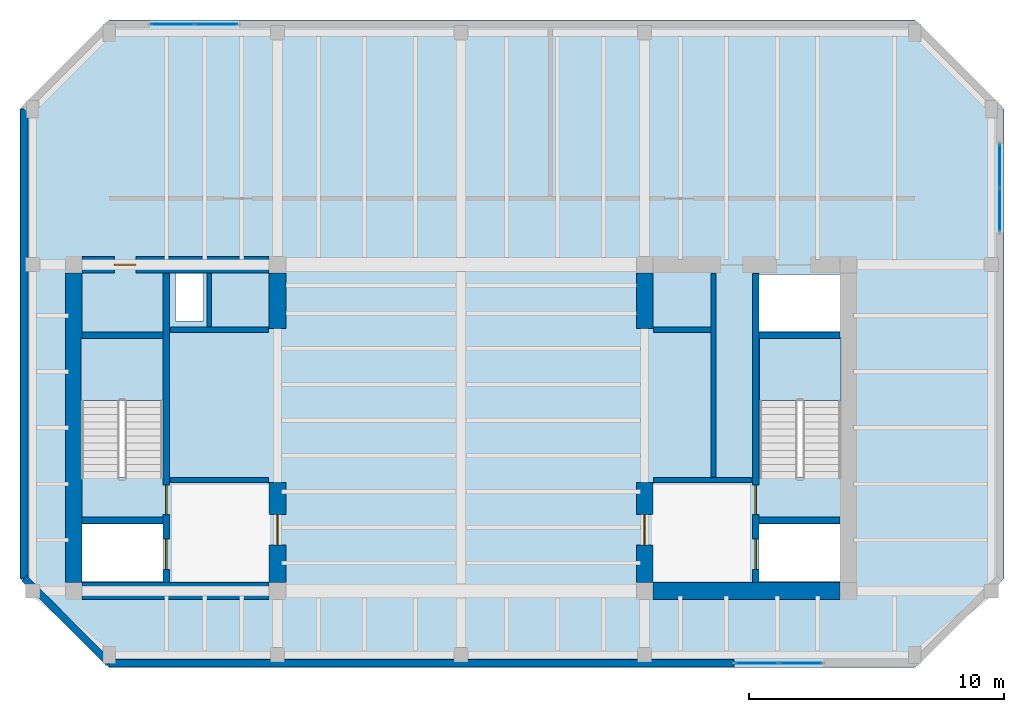
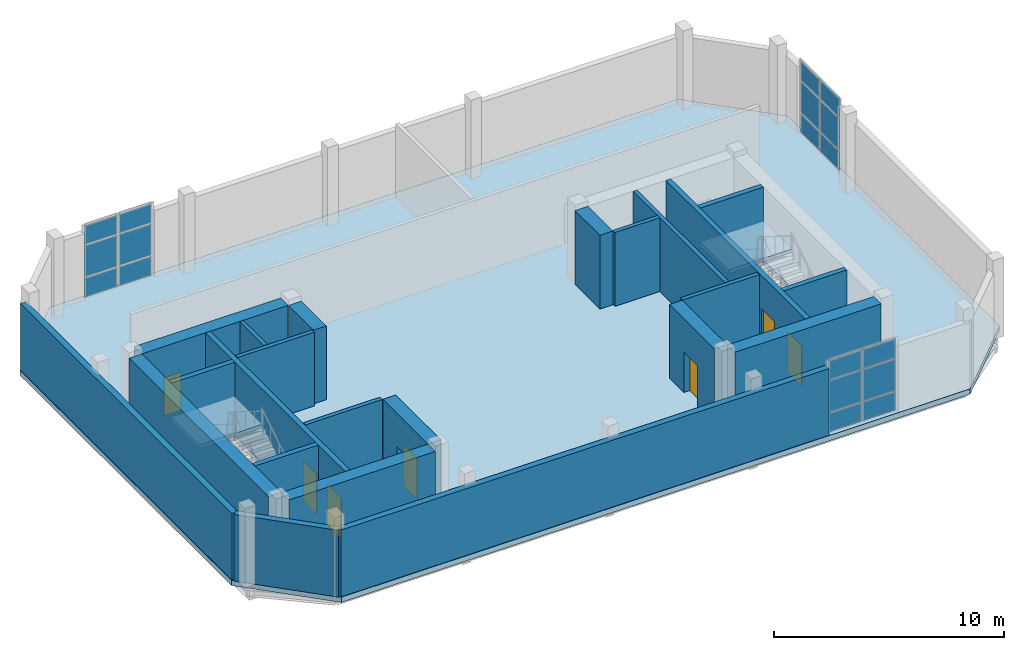
# One storey, part 5 of 7: 23 walls, 18 plates, 7 doors, 3 slabs, 7 openings, 5 elements without a shape of their own.
"""IFC4 building model written with IfcOpenShell, lengths in metres."""

import ifcopenshell
import ifcopenshell.guid

model = None  # the IFC model being written
_history = None  # IfcOwnerHistory: only IFC2X3 demands one
_inside = {}  # id of a spatial element -> (the spatial element, [elements in it])
_under = {}  # id of a project, library or spatial element -> (it, [spatial elements below it])
_declared = {}  # id of a project -> (the project, [libraries it declares])
_typed = {}  # id of a type object -> (the type object, [elements of that type])
_made_of = {}  # id of a material, layer set ... -> (it, [elements and type objects made of it])


def new_model(schema):
    """Start an empty IFC model of exactly this schema.

    Asked for "IFC4X3", IfcOpenShell would pick the latest addendum, in which some entities
    have other attributes; the version numbers below select the first issue.
    IFC2X3 requires an IfcOwnerHistory on every rooted entity: one is made here for all.
    """
    global model, _history
    if schema == "IFC4X3":
        model = ifcopenshell.file(schema_version=(4, 3, 0, 0))
    else:
        model = ifcopenshell.file(schema=schema)
    _inside.clear()
    _under.clear()
    _declared.clear()
    _typed.clear()
    _made_of.clear()
    _history = None
    if model.schema == "IFC2X3":
        org = make("IfcOrganization", Name="unknown")
        user = make(
            "IfcPersonAndOrganization",
            ThePerson=make("IfcPerson", FamilyName="unknown"),
            TheOrganization=org,
        )
        app = make(
            "IfcApplication",
            ApplicationDeveloper=org,
            Version="unknown",
            ApplicationFullName="unknown",
            ApplicationIdentifier="unknown",
        )
        _history = make(
            "IfcOwnerHistory",
            OwningUser=user,
            OwningApplication=app,
            ChangeAction="ADDED",
            CreationDate=0,
        )
    return model


def make(cls, **values):
    """One entity of the class cls with the attributes given. An attribute that is None is left unset."""
    return model.create_entity(
        cls, **{name: value for name, value in values.items() if value is not None}
    )


def rooted(cls, **values):
    """An entity with a GlobalId (a new one), such as an element, a storey or a relation."""
    return make(cls, GlobalId=ifcopenshell.guid.new(), OwnerHistory=_history, **values)


def si_unit(unit_type, name, prefix=None):
    """IfcSIUnit, for example si_unit("LENGTHUNIT", "METRE", prefix="MILLI")."""
    return make("IfcSIUnit", UnitType=unit_type, Prefix=prefix, Name=name)


def assignment(units):
    """IfcUnitAssignment: the units of a project."""
    return None if units is None else make("IfcUnitAssignment", Units=units)


def point(xyz):
    """IfcCartesianPoint."""
    return None if xyz is None else make("IfcCartesianPoint", Coordinates=xyz)


def direction(xyz):
    """IfcDirection."""
    return None if xyz is None else make("IfcDirection", DirectionRatios=xyz)


def frame(location, z_axis=None, x_axis=None):
    """IfcAxis2Placement3D, a coordinate frame: its origin and axes. An axis left out is left unset."""
    return make(
        "IfcAxis2Placement3D",
        Location=point(location),
        Axis=direction(z_axis),
        RefDirection=direction(x_axis),
    )


def frame_2d(location, x_axis=None):
    """IfcAxis2Placement2D, a coordinate frame in the plane: its origin and x axis."""
    return make(
        "IfcAxis2Placement2D", Location=point(location), RefDirection=direction(x_axis)
    )


def origin():
    """The frame at (0, 0, 0) with its axes left unset."""
    return frame((0.0, 0.0, 0.0))


def origin_2d():
    """The frame at (0, 0) in the plane with its x axis left unset."""
    return frame_2d((0.0, 0.0))


def place(relative_to, where):
    """IfcLocalPlacement: puts the frame where relative to a parent placement (None: the world)."""
    return make(
        "IfcLocalPlacement", PlacementRelTo=relative_to, RelativePlacement=where
    )


def context(
    kind, dimensions, precision=None, world=None, true_north=None, identifier=None
):
    """IfcGeometricRepresentationContext, for example the 3D "Model" context."""
    return make(
        "IfcGeometricRepresentationContext",
        ContextIdentifier=identifier,
        ContextType=kind,
        CoordinateSpaceDimension=dimensions,
        Precision=precision,
        WorldCoordinateSystem=world,
        TrueNorth=true_north,
    )


def subcontext(parent, identifier, kind, view, scale=None):
    """IfcGeometricRepresentationSubContext, for example "Body" below "Model"."""
    return make(
        "IfcGeometricRepresentationSubContext",
        ContextIdentifier=identifier,
        ContextType=kind,
        ParentContext=parent,
        TargetScale=scale,
        TargetView=view,
    )


def project(units=None, contexts=None):
    """IfcProject with its units and contexts."""
    return rooted(
        "IfcProject",
        Name="project",
        RepresentationContexts=contexts,
        UnitsInContext=assignment(units),
    )


def spatial(cls, under=None, at=None, **own):
    """A site, building, storey or space (cls), placed at a placement, below another one or the project."""
    s = rooted(cls, ObjectPlacement=at, **own)
    if under is not None:
        _under.setdefault(under.id(), (under, []))[1].append(s)
    return s


def polyline(points):
    """IfcPolyline through the points."""
    return make("IfcPolyline", Points=[point(p) for p in points])


def profile(cls, at=None, kind="AREA", **sizes):
    """A parametric profile (cls). Its sizes go by their IFC names, for example OverallWidth=200.0."""
    return make(cls, ProfileType=kind, Position=at, **sizes)


def rectangle(**sizes):
    """IfcRectangleProfileDef."""
    return profile("IfcRectangleProfileDef", **sizes)


def outline(outer, holes=None, kind="AREA"):
    """IfcArbitraryClosedProfileDef: a profile drawn as a closed curve; with holes, ...WithVoids."""
    if holes is None:
        return make("IfcArbitraryClosedProfileDef", ProfileType=kind, OuterCurve=outer)
    return make(
        "IfcArbitraryProfileDefWithVoids",
        ProfileType=kind,
        OuterCurve=outer,
        InnerCurves=holes,
    )


def extrude(swept, where, along, depth):
    """IfcExtrudedAreaSolid: the profile swept, set in the frame where, extruded along a direction by depth."""
    return make(
        "IfcExtrudedAreaSolid",
        SweptArea=swept,
        Position=where,
        ExtrudedDirection=direction(along),
        Depth=depth,
    )


def shape(context_of_items, identifier, shape_type, items):
    """IfcShapeRepresentation: the items that make up one representation, for example the "Body"."""
    return make(
        "IfcShapeRepresentation",
        ContextOfItems=context_of_items,
        RepresentationIdentifier=identifier,
        RepresentationType=shape_type,
        Items=items,
    )


def material(Name=None, Category=None):
    """IfcMaterial."""
    return make("IfcMaterial", Name=Name, Category=Category)


def layer(
    of_material, thickness, ventilated=None, Name=None, Category=None, Priority=None
):
    """IfcMaterialLayer: one layer of a wall or slab, of a material (None: an air gap)."""
    return make(
        "IfcMaterialLayer",
        Material=of_material,
        LayerThickness=thickness,
        IsVentilated=ventilated,
        Name=Name,
        Category=Category,
        Priority=Priority,
    )


def layer_set(layers, Name=None):
    """IfcMaterialLayerSet."""
    return make("IfcMaterialLayerSet", MaterialLayers=layers, LayerSetName=Name)


def made_of(thing, what):
    """Note that an element or type object is made of a material, layer set ...; save() writes the relation."""
    if what is not None:
        _made_of.setdefault(what.id(), (what, []))[1].append(thing)
    return thing


def type_object(cls, material=None, **own):
    """A type object (cls), such as IfcWallType, which elements share."""
    return made_of(rooted(cls, **own), material)


def element(
    cls,
    number,
    at=None,
    inside=None,
    cuts=None,
    type_object=None,
    material=None,
    context=None,
    identifier="Body",
    shape_type=None,
    held_by="IfcProductDefinitionShape",
    body=None,
    shapes=None,
    **own,
):
    """One element of the class cls, such as IfcWall. Its Tag is "e" and its number.

    at: its placement. inside: the storey or other place that contains it. cuts: it is an
    opening in that element (IfcRelVoidsElement). A single representation is given by context,
    identifier, shape_type and body (its items); several are given by shapes. held_by: the class
    of the entity that holds the representations. save() writes the other relations.
    """
    e = rooted(cls, Tag="e%d" % number, ObjectPlacement=at, **own)
    if body is not None:
        shapes = [shape(context, identifier, shape_type, body)]
    if shapes is not None:
        e.Representation = make(held_by, Representations=shapes)
    if inside is not None:
        _inside.setdefault(inside.id(), (inside, []))[1].append(e)
    if cuts is not None:
        rooted(
            "IfcRelVoidsElement", RelatingBuildingElement=cuts, RelatedOpeningElement=e
        )
    if type_object is not None:
        _typed.setdefault(type_object.id(), (type_object, []))[1].append(e)
    return made_of(e, material)


def fill(opening, filler):
    """IfcRelFillsElement: the door or window that sits in an opening."""
    return rooted(
        "IfcRelFillsElement",
        RelatingOpeningElement=opening,
        RelatedBuildingElement=filler,
    )


def aggregate(whole, parts):
    """IfcRelAggregates: a whole, such as a stair, and the parts it consists of."""
    return rooted("IfcRelAggregates", RelatingObject=whole, RelatedObjects=parts)


def save(model, path):
    """Write the relations noted so far, then the file.

    IfcRelAggregates (storeys below a building ...), IfcRelContainedInSpatialStructure (elements
    in a storey), IfcRelDefinesByType, IfcRelAssociatesMaterial and IfcRelDeclares: one each for
    every whole, place, type object, material and project.
    """
    for whole, parts in _under.values():
        aggregate(whole, parts)
    for where, things in _inside.values():
        rooted(
            "IfcRelContainedInSpatialStructure",
            RelatedElements=things,
            RelatingStructure=where,
        )
    for kind, things in _typed.values():
        rooted("IfcRelDefinesByType", RelatedObjects=things, RelatingType=kind)
    for what, things in _made_of.values():
        rooted("IfcRelAssociatesMaterial", RelatedObjects=things, RelatingMaterial=what)
    for by, libraries in _declared.values():
        rooted("IfcRelDeclares", RelatingContext=by, RelatedDefinitions=libraries)
    model.write(path)


model = new_model("IFC4")

# Units and contexts
model_context = context("Model", 3, precision=1e-05, world=origin(), true_north=direction((0.0, 1.0)))
body_context = subcontext(model_context, "Body", "Model", "MODEL_VIEW")
ifc_project = project(units=[si_unit("LENGTHUNIT", "METRE"), si_unit("AREAUNIT", "SQUARE_METRE"), si_unit("VOLUMEUNIT", "CUBIC_METRE"), si_unit("PLANEANGLEUNIT", "RADIAN"), si_unit("MASSUNIT", "GRAM", prefix="KILO")], contexts=[model_context])

# Site, building, storey
site_placement = place(None, origin())
site = spatial("IfcSite", under=ifc_project, at=site_placement, CompositionType="ELEMENT")
building_placement = place(site_placement, origin())
building = spatial("IfcBuilding", under=site, at=building_placement, Name="Kranthara Brick Stack", CompositionType="ELEMENT")
storey_placement = place(building_placement, frame((0.0, 0.0, 304.800048828125)))
storey = spatial("IfcBuildingStorey", under=building, at=storey_placement, Name="L80", CompositionType="ELEMENT", Elevation=304.800048828125)

# Curtain wall, plates
ifc_material_1 = material(Name="Bronze anodised aluminium and low-E glass", Category="aluminium")
ifc_layer_1 = layer(ifc_material_1, 0.25)
ifc_layer_set_1 = layer_set([ifc_layer_1], Name="Bronze anodised aluminium and low-E glass")
curtain_wall_type = type_object("IfcCurtainWallType", Name="CW-SYS6-CROWN", PredefinedType="USERDEFINED", material=ifc_layer_set_1)
curtain_wall_1_placement = place(storey_placement, origin())
curtain_wall_1 = element("IfcCurtainWall", 1, at=curtain_wall_1_placement, inside=storey, type_object=curtain_wall_type, Name="L80 Curtain Wall CW6-L80-01", ObjectType="UNITISED CURTAIN WALL", PredefinedType="USERDEFINED")
ifc_material_2 = material(Name="Double-glazed low-E vision glass", Category="glass")
ifc_layer_2 = layer(ifc_material_2, 0.028076171875)
ifc_layer_set_2 = layer_set([ifc_layer_2], Name="Double-glazed low-E vision glass")
plate_type = type_object("IfcPlateType", Name="CWP-GLZ-28", PredefinedType="CURTAIN_PANEL", material=ifc_layer_set_2)
plate_1_placement = place(storey_placement, frame((41.32177734375, 17.969970703125, 0.06494140625), z_axis=(0.0, 0.0, 1.0), x_axis=(-1.0, 0.0, 0.0)))
plate_1 = element("IfcPlate", 2, at=plate_1_placement, type_object=plate_type, Name="CW panel 1.1", PredefinedType="CURTAIN_PANEL", context=body_context, shape_type="SweptSolid", body=[
    extrude(rectangle(XDim=1.652587890625, YDim=0.028076171875, at=origin_2d()), origin(), (0.0, 0.0, 1.0), 1.0),
])
plate_2_placement = place(storey_placement, frame((41.32177734375, 17.969970703125, 1.1298828125), z_axis=(0.0, 0.0, 1.0), x_axis=(-1.0, 0.0, 0.0)))
plate_2 = element("IfcPlate", 3, at=plate_2_placement, type_object=plate_type, Name="CW panel 1.2", PredefinedType="CURTAIN_PANEL", context=body_context, shape_type="SweptSolid", body=[
    extrude(rectangle(XDim=1.652587890625, YDim=0.028076171875, at=origin_2d()), origin(), (0.0, 0.0, 1.0), 1.659912109375),
])
plate_3_placement = place(storey_placement, frame((41.32177734375, 17.969970703125, 2.85498046875), z_axis=(0.0, 0.0, 1.0), x_axis=(-1.0, 0.0, 0.0)))
plate_3 = element("IfcPlate", 4, at=plate_3_placement, type_object=plate_type, Name="CW panel 1.3", PredefinedType="CURTAIN_PANEL", context=body_context, shape_type="SweptSolid", body=[
    extrude(rectangle(XDim=1.652587890625, YDim=0.028076171875, at=origin_2d()), origin(), (0.0, 0.0, 1.0), 1.0),
])
plate_4_placement = place(storey_placement, frame((39.604248046875, 17.969970703125, 0.06494140625), z_axis=(0.0, 0.0, 1.0), x_axis=(-1.0, 0.0, 0.0)))
plate_4 = element("IfcPlate", 5, at=plate_4_placement, type_object=plate_type, Name="CW panel 2.1", PredefinedType="CURTAIN_PANEL", context=body_context, shape_type="SweptSolid", body=[
    extrude(rectangle(XDim=1.652587890625, YDim=0.028076171875, at=origin_2d()), origin(), (0.0, 0.0, 1.0), 1.0),
])
plate_5_placement = place(storey_placement, frame((39.604248046875, 17.969970703125, 1.1298828125), z_axis=(0.0, 0.0, 1.0), x_axis=(-1.0, 0.0, 0.0)))
plate_5 = element("IfcPlate", 6, at=plate_5_placement, type_object=plate_type, Name="CW panel 2.2", PredefinedType="CURTAIN_PANEL", context=body_context, shape_type="SweptSolid", body=[
    extrude(rectangle(XDim=1.652587890625, YDim=0.028076171875, at=origin_2d()), origin(), (0.0, 0.0, 1.0), 1.659912109375),
])
plate_6_placement = place(storey_placement, frame((39.604248046875, 17.969970703125, 2.85498046875), z_axis=(0.0, 0.0, 1.0), x_axis=(-1.0, 0.0, 0.0)))
plate_6 = element("IfcPlate", 7, at=plate_6_placement, type_object=plate_type, Name="CW panel 2.3", PredefinedType="CURTAIN_PANEL", context=body_context, shape_type="SweptSolid", body=[
    extrude(rectangle(XDim=1.652587890625, YDim=0.028076171875, at=origin_2d()), origin(), (0.0, 0.0, 1.0), 1.0),
])
aggregate(curtain_wall_1, [plate_1, plate_2, plate_3, plate_4, plate_5, plate_6])

curtain_wall_2_placement = place(storey_placement, origin())
curtain_wall_2 = element("IfcCurtainWall", 8, at=curtain_wall_2_placement, inside=storey, type_object=curtain_wall_type, Name="L80 Curtain Wall CW6-L80-02", ObjectType="UNITISED CURTAIN WALL", PredefinedType="USERDEFINED")
plate_7_placement = place(storey_placement, frame((16.67919921875, 43.030029296875, 0.06494140625), z_axis=(0.0, 0.0, 1.0), x_axis=(1.0, 0.0, 0.0)))
plate_7 = element("IfcPlate", 9, at=plate_7_placement, type_object=plate_type, Name="CW panel 1.1", PredefinedType="CURTAIN_PANEL", context=body_context, shape_type="SweptSolid", body=[
    extrude(rectangle(XDim=1.652587890625, YDim=0.028076171875, at=origin_2d()), origin(), (0.0, 0.0, 1.0), 1.0),
])
plate_8_placement = place(storey_placement, frame((16.67919921875, 43.030029296875, 1.1298828125), z_axis=(0.0, 0.0, 1.0), x_axis=(1.0, 0.0, 0.0)))
plate_8 = element("IfcPlate", 10, at=plate_8_placement, type_object=plate_type, Name="CW panel 1.2", PredefinedType="CURTAIN_PANEL", context=body_context, shape_type="SweptSolid", body=[
    extrude(rectangle(XDim=1.652587890625, YDim=0.028076171875, at=origin_2d()), origin(), (0.0, 0.0, 1.0), 1.659912109375),
])
plate_9_placement = place(storey_placement, frame((16.67919921875, 43.030029296875, 2.85498046875), z_axis=(0.0, 0.0, 1.0), x_axis=(1.0, 0.0, 0.0)))
plate_9 = element("IfcPlate", 11, at=plate_9_placement, type_object=plate_type, Name="CW panel 1.3", PredefinedType="CURTAIN_PANEL", context=body_context, shape_type="SweptSolid", body=[
    extrude(rectangle(XDim=1.652587890625, YDim=0.028076171875, at=origin_2d()), origin(), (0.0, 0.0, 1.0), 1.0),
])
plate_10_placement = place(storey_placement, frame((18.396728515625, 43.030029296875, 0.06494140625), z_axis=(0.0, 0.0, 1.0), x_axis=(1.0, 0.0, 0.0)))
plate_10 = element("IfcPlate", 12, at=plate_10_placement, type_object=plate_type, Name="CW panel 2.1", PredefinedType="CURTAIN_PANEL", context=body_context, shape_type="SweptSolid", body=[
    extrude(rectangle(XDim=1.652587890625, YDim=0.028076171875, at=origin_2d()), origin(), (0.0, 0.0, 1.0), 1.0),
])
plate_11_placement = place(storey_placement, frame((18.396728515625, 43.030029296875, 1.1298828125), z_axis=(0.0, 0.0, 1.0), x_axis=(1.0, 0.0, 0.0)))
plate_11 = element("IfcPlate", 13, at=plate_11_placement, type_object=plate_type, Name="CW panel 2.2", PredefinedType="CURTAIN_PANEL", context=body_context, shape_type="SweptSolid", body=[
    extrude(rectangle(XDim=1.652587890625, YDim=0.028076171875, at=origin_2d()), origin(), (0.0, 0.0, 1.0), 1.659912109375),
])
plate_12_placement = place(storey_placement, frame((18.396728515625, 43.030029296875, 2.85498046875), z_axis=(0.0, 0.0, 1.0), x_axis=(1.0, 0.0, 0.0)))
plate_12 = element("IfcPlate", 14, at=plate_12_placement, type_object=plate_type, Name="CW panel 2.3", PredefinedType="CURTAIN_PANEL", context=body_context, shape_type="SweptSolid", body=[
    extrude(rectangle(XDim=1.652587890625, YDim=0.028076171875, at=origin_2d()), origin(), (0.0, 0.0, 1.0), 1.0),
])
aggregate(curtain_wall_2, [plate_7, plate_8, plate_9, plate_10, plate_11, plate_12])

curtain_wall_3_placement = place(storey_placement, origin())
curtain_wall_3 = element("IfcCurtainWall", 15, at=curtain_wall_3_placement, inside=storey, type_object=curtain_wall_type, Name="L80 Curtain Wall CW6-L80-03", ObjectType="UNITISED CURTAIN WALL", PredefinedType="USERDEFINED")
plate_13_placement = place(storey_placement, frame((49.1298828125, 37.470703125, 0.06494140625), z_axis=(0.0, 0.0, 1.0), x_axis=(0.0, -1.0, 0.0)))
plate_13 = element("IfcPlate", 16, at=plate_13_placement, type_object=plate_type, Name="CW panel 1.1", PredefinedType="CURTAIN_PANEL", context=body_context, shape_type="SweptSolid", body=[
    extrude(rectangle(XDim=1.652587890625, YDim=0.028076171875, at=origin_2d()), origin(), (0.0, 0.0, 1.0), 1.0),
])
plate_14_placement = place(storey_placement, frame((49.1298828125, 37.470703125, 1.1298828125), z_axis=(0.0, 0.0, 1.0), x_axis=(0.0, -1.0, 0.0)))
plate_14 = element("IfcPlate", 17, at=plate_14_placement, type_object=plate_type, Name="CW panel 1.2", PredefinedType="CURTAIN_PANEL", context=body_context, shape_type="SweptSolid", body=[
    extrude(rectangle(XDim=1.652587890625, YDim=0.028076171875, at=origin_2d()), origin(), (0.0, 0.0, 1.0), 1.659912109375),
])
plate_15_placement = place(storey_placement, frame((49.1298828125, 37.470703125, 2.85498046875), z_axis=(0.0, 0.0, 1.0), x_axis=(0.0, -1.0, 0.0)))
plate_15 = element("IfcPlate", 18, at=plate_15_placement, type_object=plate_type, Name="CW panel 1.3", PredefinedType="CURTAIN_PANEL", context=body_context, shape_type="SweptSolid", body=[
    extrude(rectangle(XDim=1.652587890625, YDim=0.028076171875, at=origin_2d()), origin(), (0.0, 0.0, 1.0), 1.0),
])
plate_16_placement = place(storey_placement, frame((49.1298828125, 35.753173828125, 0.06494140625), z_axis=(0.0, 0.0, 1.0), x_axis=(0.0, -1.0, 0.0)))
plate_16 = element("IfcPlate", 19, at=plate_16_placement, type_object=plate_type, Name="CW panel 2.1", PredefinedType="CURTAIN_PANEL", context=body_context, shape_type="SweptSolid", body=[
    extrude(rectangle(XDim=1.652587890625, YDim=0.028076171875, at=origin_2d()), origin(), (0.0, 0.0, 1.0), 1.0),
])
plate_17_placement = place(storey_placement, frame((49.1298828125, 35.753173828125, 1.1298828125), z_axis=(0.0, 0.0, 1.0), x_axis=(0.0, -1.0, 0.0)))
plate_17 = element("IfcPlate", 20, at=plate_17_placement, type_object=plate_type, Name="CW panel 2.2", PredefinedType="CURTAIN_PANEL", context=body_context, shape_type="SweptSolid", body=[
    extrude(rectangle(XDim=1.652587890625, YDim=0.028076171875, at=origin_2d()), origin(), (0.0, 0.0, 1.0), 1.659912109375),
])
plate_18_placement = place(storey_placement, frame((49.1298828125, 35.753173828125, 2.85498046875), z_axis=(0.0, 0.0, 1.0), x_axis=(0.0, -1.0, 0.0)))
plate_18 = element("IfcPlate", 21, at=plate_18_placement, type_object=plate_type, Name="CW panel 2.3", PredefinedType="CURTAIN_PANEL", context=body_context, shape_type="SweptSolid", body=[
    extrude(rectangle(XDim=1.652587890625, YDim=0.028076171875, at=origin_2d()), origin(), (0.0, 0.0, 1.0), 1.0),
])
aggregate(curtain_wall_3, [plate_13, plate_14, plate_15, plate_16, plate_17, plate_18])

# Slab
ifc_material_3 = material(Name="Concrete C45/55", Category="concrete")
ifc_layer_3 = layer(ifc_material_3, 0.280029296875)
ifc_layer_set_3 = layer_set([ifc_layer_3], Name="Concrete C45/55")
slab_type_1 = type_object("IfcSlabType", Name="SLB-CRN-280", PredefinedType="FLOOR", material=ifc_layer_set_3)
slab_1_placement = place(storey_placement, frame((0.0, 0.0, -0.280029296875)))
element("IfcSlab", 22, at=slab_1_placement, inside=storey, type_object=slab_type_1, Name="L80 Structural Floor Plate", PredefinedType="FLOOR", context=body_context, shape_type="SweptSolid", body=[
    extrude(outline(polyline([(14.199951171875, 17.800048828125), (45.800048828125, 17.800048828125), (49.300048828125, 21.300048828125), (49.300048828125, 39.699951171875), (45.800048828125, 43.199951171875), (14.199951171875, 43.199951171875), (10.699951171875, 39.699951171875), (10.699951171875, 21.300048828125), (14.199951171875, 17.800048828125)]), holes=[polyline([(13.10009765625, 25.280029296875), (16.300048828125, 25.280029296875), (16.300048828125, 30.75), (13.10009765625, 30.75), (13.10009765625, 25.280029296875)]), polyline([(39.699951171875, 25.280029296875), (42.89990234375, 25.280029296875), (42.89990234375, 30.75), (39.699951171875, 30.75), (39.699951171875, 25.280029296875)]), polyline([(13.0, 21.179931640625), (16.320068359375, 21.179931640625), (16.320068359375, 23.419921875), (13.0, 23.419921875), (13.0, 21.179931640625)]), polyline([(39.679931640625, 21.179931640625), (43.0, 21.179931640625), (43.0, 23.419921875), (39.679931640625, 23.419921875), (39.679931640625, 21.179931640625)]), polyline([(39.679931640625, 30.97998046875), (43.0, 30.97998046875), (43.0, 33.219970703125), (39.679931640625, 33.219970703125), (39.679931640625, 30.97998046875)]), polyline([(16.800048828125, 31.39990234375), (17.89990234375, 31.39990234375), (17.89990234375, 33.25), (16.800048828125, 33.25), (16.800048828125, 31.39990234375)])]), origin(), (0.0, 0.0, 1.0), 0.280029296875),
])

# Stair, slab
ifc_material_4 = material(Name="Concrete C45/55", Category="concrete")
stair_type = type_object("IfcStairType", Name="ST-CORE-24R", PredefinedType="HALF_TURN_STAIR", material=ifc_material_4)
stair_1_placement = place(storey_placement, origin())
stair_1 = element("IfcStair", 23, at=stair_1_placement, inside=storey, type_object=stair_type, Name="L80 West Core Protected Exit Stair ST01", PredefinedType="HALF_TURN_STAIR")
ifc_material_5 = material(Name="Concrete C45/55", Category="concrete")
ifc_layer_4 = layer(ifc_material_5, 0.199951171875)
ifc_layer_set_4 = layer_set([ifc_layer_4], Name="Concrete C45/55")
slab_type_2 = type_object("IfcSlabType", Name="SLB-LANDING-200", PredefinedType="LANDING", material=ifc_layer_set_4)
slab_2_placement = place(storey_placement, frame((0.0, 0.0, 1.89990234375)))
slab_2 = element("IfcSlab", 24, at=slab_2_placement, type_object=slab_type_2, Name="ST01 landing 1", PredefinedType="LANDING", context=body_context, shape_type="SweptSolid", body=[
    extrude(outline(polyline([(16.300048828125, 28.280029296875), (16.300048828125, 30.75), (13.10009765625, 30.75), (13.10009765625, 28.280029296875), (16.300048828125, 28.280029296875)])), origin(), (0.0, 0.0, 1.0), 0.199951171875),
])
aggregate(stair_1, [slab_2])

stair_2_placement = place(storey_placement, origin())
stair_2 = element("IfcStair", 25, at=stair_2_placement, inside=storey, type_object=stair_type, Name="L80 East Core Protected Exit Stair ST02", PredefinedType="HALF_TURN_STAIR")
slab_3_placement = place(storey_placement, frame((0.0, 0.0, 1.89990234375)))
slab_3 = element("IfcSlab", 26, at=slab_3_placement, type_object=slab_type_2, Name="ST02 landing 1", PredefinedType="LANDING", context=body_context, shape_type="SweptSolid", body=[
    extrude(outline(polyline([(42.89990234375, 28.280029296875), (42.89990234375, 30.75), (39.699951171875, 30.75), (39.699951171875, 28.280029296875), (42.89990234375, 28.280029296875)])), origin(), (0.0, 0.0, 1.0), 0.199951171875),
])
aggregate(stair_2, [slab_3])

# Walls
ifc_material_6 = material(Name="Precast concrete C45/55", Category="concrete")
ifc_layer_5 = layer(ifc_material_6, 0.300048828125)
ifc_layer_set_5 = layer_set([ifc_layer_5], Name="Precast concrete C45/55")
wall_type_1 = type_object("IfcWallType", Name="WL-BRK-CRWN-300", PredefinedType="STANDARD", material=ifc_layer_set_5)
wall_1_placement = place(storey_placement, frame((38.712890625, 17.969970703125, 0.0), z_axis=(0.0, 0.0, 1.0), x_axis=(-1.0, 0.0, 0.0)))
element("IfcWall", 27, at=wall_1_placement, inside=storey, type_object=wall_type_1, Name="L80 Exterior Brick Facade Wall SOUTH 2", PredefinedType="STANDARD", context=body_context, shape_type="SweptSolid", body=[
    extrude(rectangle(XDim=24.512939453125, YDim=0.300048828125, at=frame_2d((12.25634765625, 0.0))), origin(), (0.0, 0.0, 1.0), 3.544921875),
])
wall_2_placement = place(storey_placement, frame((14.199951171875, 17.969970703125, 0.0), z_axis=(0.0, 0.0, 1.0), x_axis=(-0.707080859425, 0.707132701998, 0.0)))
element("IfcWall", 28, at=wall_2_placement, inside=storey, type_object=wall_type_1, Name="L80 Exterior Brick Facade Wall SW 1", PredefinedType="STANDARD", context=body_context, shape_type="SweptSolid", body=[
    extrude(rectangle(XDim=4.709228515625, YDim=0.300048828125, at=frame_2d((2.3544921875, 0.0))), origin(), (0.0, 0.0, 1.0), 3.544921875),
])
wall_3_placement = place(storey_placement, frame((10.8701171875, 21.300048828125, 0.0), z_axis=(0.0, 0.0, 1.0), x_axis=(0.0, 1.0, 0.0)))
element("IfcWall", 29, at=wall_3_placement, inside=storey, type_object=wall_type_1, Name="L80 Exterior Brick Facade Wall WEST 1", PredefinedType="STANDARD", context=body_context, shape_type="SweptSolid", body=[
    extrude(rectangle(XDim=18.39990234375, YDim=0.300048828125, at=frame_2d((9.199951171875, 0.0))), origin(), (0.0, 0.0, 1.0), 3.544921875),
])

# Wall, openings, doors
ifc_material_7 = material(Name="Concrete C50/60", Category="concrete")
ifc_layer_6 = layer(ifc_material_7, 0.25)
ifc_layer_set_6 = layer_set([ifc_layer_6], Name="Concrete C50/60")
wall_type_2 = type_object("IfcWallType", Name="WL-CORE-250", PredefinedType="SHEAR", material=ifc_layer_set_6)
wall_4_placement = place(storey_placement, frame((16.43505859375, 21.135009765625, 0.0), z_axis=(0.0, 0.0, 1.0), x_axis=(0.0, 1.0, 0.0)))
wall_4 = element("IfcWall", 30, at=wall_4_placement, inside=storey, type_object=wall_type_2, Name="L80 West Core Stair Bearing Spine Wall", PredefinedType="SHEAR", context=body_context, shape_type="SweptSolid", body=[
    extrude(rectangle(XDim=12.1298828125, YDim=0.25, at=frame_2d((6.06494140625, 0.0))), origin(), (0.0, 0.0, 1.0), 3.919921875),
])
opening_1_placement = place(wall_4_placement, frame((0.514892578125, 0.0, 0.0)))
opening_1 = element("IfcOpeningElement", 31, at=opening_1_placement, cuts=wall_4, Name="Opening LD01", PredefinedType="OPENING", context=body_context, shape_type="SweptSolid", body=[
    extrude(rectangle(XDim=1.199951171875, YDim=2.14990234375, at=frame_2d((0.60009765625, 1.074951171875))), frame((0.0, 0.135009765625, 0.0), z_axis=(0.0, -1.0, 0.0), x_axis=(1.0, 0.0, 0.0)), (0.0, 0.0, 1.0), 0.27001953125),
])
opening_2_placement = place(wall_4_placement, frame((2.6650390625, 0.0, 0.0)))
opening_2 = element("IfcOpeningElement", 32, at=opening_2_placement, cuts=wall_4, Name="Opening D05", PredefinedType="OPENING", context=body_context, shape_type="SweptSolid", body=[
    extrude(rectangle(XDim=1.14990234375, YDim=2.14990234375, at=frame_2d((0.574951171875, 1.074951171875))), frame((0.0, 0.135009765625, 0.0), z_axis=(0.0, -1.0, 0.0), x_axis=(1.0, 0.0, 0.0)), (0.0, 0.0, 1.0), 0.27001953125),
])
ifc_material_8 = material(Name="Stainless steel sliding landing door", Category="steel")
door_type_1 = type_object("IfcDoorType", Name="DR-LD-FF1200", OperationType="DOUBLE_DOOR_SLIDING", PredefinedType="DOOR", material=ifc_material_8)
door_1_placement = place(opening_1_placement, origin())
door_1 = element("IfcDoor", 33, at=door_1_placement, inside=storey, type_object=door_type_1, Name="L80 Firefighting Lift FF-01 Landing Door", OperationType="DOUBLE_DOOR_SLIDING", OverallHeight=2.14990234375, OverallWidth=1.199951171875, PredefinedType="DOOR", context=body_context, shape_type="SweptSolid", body=[
    extrude(rectangle(XDim=1.199951171875, YDim=2.14990234375, at=frame_2d((0.60009765625, 1.074951171875))), frame((0.0, 0.02490234375, 0.0), z_axis=(0.0, -1.0, 0.0), x_axis=(1.0, 0.0, 0.0)), (0.0, 0.0, 1.0), 0.050048828125),
])
fill(opening_1, door_1)
ifc_material_9 = material(Name="Solid-core hardwood timber leaf in steel frame", Category="steel")
door_type_2 = type_object("IfcDoorType", Name="DR-ST-1150", OperationType="NOTDEFINED", PredefinedType="DOOR", material=ifc_material_9)
door_2_placement = place(opening_2_placement, origin())
door_2 = element("IfcDoor", 34, at=door_2_placement, inside=storey, type_object=door_type_2, Name="L80 Exit Stair ST01 Door", OperationType="SINGLE_SWING_RIGHT", OverallHeight=2.14990234375, OverallWidth=1.14990234375, PredefinedType="DOOR", context=body_context, shape_type="SweptSolid", body=[
    extrude(rectangle(XDim=1.14990234375, YDim=2.14990234375, at=frame_2d((0.574951171875, 1.074951171875))), frame((0.0, 0.02490234375, 0.0), z_axis=(0.0, -1.0, 0.0), x_axis=(1.0, 0.0, 0.0)), (0.0, 0.0, 1.0), 0.050048828125),
])
fill(opening_2, door_2)

# Walls
for number, where, z_axis, x_axis, name in (
    (35, (13.135009765625, 23.570068359375, 0.0), (0.0, 0.0, 1.0), (1.0, 0.0, 0.0), "L80 West Stairwell Bearing Wall WFF"),
    (36, (13.135009765625, 30.830078125, 0.0), (0.0, 0.0, 1.0), (1.0, 0.0, 0.0), "L80 West Stairwell Bearing Wall WST"),
):
    element("IfcWall", number, at=place(storey_placement, frame(where, z_axis=z_axis, x_axis=x_axis)), inside=storey, type_object=wall_type_2, Name=name, PredefinedType="SHEAR", context=body_context, shape_type="SweptSolid", body=[
        extrude(rectangle(XDim=3.175048828125, YDim=0.25, at=frame_2d((1.58740234375, 0.0))), origin(), (0.0, 0.0, 1.0), 3.919921875),
    ])

# Wall, openings, doors
wall_5_placement = place(storey_placement, frame((39.56494140625, 21.135009765625, 0.0), z_axis=(0.0, 0.0, 1.0), x_axis=(0.0, 1.0, 0.0)))
wall_5 = element("IfcWall", 37, at=wall_5_placement, inside=storey, type_object=wall_type_2, Name="L80 East Core Stair Bearing Spine Wall", PredefinedType="SHEAR", context=body_context, shape_type="SweptSolid", body=[
    extrude(rectangle(XDim=12.1298828125, YDim=0.25, at=frame_2d((6.06494140625, 0.0))), origin(), (0.0, 0.0, 1.0), 3.919921875),
])
opening_3_placement = place(wall_5_placement, frame((0.514892578125, 0.0, 0.0)))
opening_3 = element("IfcOpeningElement", 38, at=opening_3_placement, cuts=wall_5, Name="Opening LD01", PredefinedType="OPENING", context=body_context, shape_type="SweptSolid", body=[
    extrude(rectangle(XDim=1.199951171875, YDim=2.14990234375, at=frame_2d((0.60009765625, 1.074951171875))), frame((0.0, 0.135009765625, 0.0), z_axis=(0.0, -1.0, 0.0), x_axis=(1.0, 0.0, 0.0)), (0.0, 0.0, 1.0), 0.27001953125),
])
opening_4_placement = place(wall_5_placement, frame((2.6650390625, 0.0, 0.0)))
opening_4 = element("IfcOpeningElement", 39, at=opening_4_placement, cuts=wall_5, Name="Opening D05", PredefinedType="OPENING", context=body_context, shape_type="SweptSolid", body=[
    extrude(rectangle(XDim=1.14990234375, YDim=2.14990234375, at=frame_2d((0.574951171875, 1.074951171875))), frame((0.0, 0.135009765625, 0.0), z_axis=(0.0, -1.0, 0.0), x_axis=(1.0, 0.0, 0.0)), (0.0, 0.0, 1.0), 0.27001953125),
])
door_3_placement = place(opening_3_placement, origin())
door_3 = element("IfcDoor", 40, at=door_3_placement, inside=storey, type_object=door_type_1, Name="L80 Firefighting Lift FF-02 Landing Door", OperationType="DOUBLE_DOOR_SLIDING", OverallHeight=2.14990234375, OverallWidth=1.199951171875, PredefinedType="DOOR", context=body_context, shape_type="SweptSolid", body=[
    extrude(rectangle(XDim=1.199951171875, YDim=2.14990234375, at=frame_2d((0.60009765625, 1.074951171875))), frame((0.0, 0.02490234375, 0.0), z_axis=(0.0, -1.0, 0.0), x_axis=(1.0, 0.0, 0.0)), (0.0, 0.0, 1.0), 0.050048828125),
])
fill(opening_3, door_3)
door_4_placement = place(opening_4_placement, origin())
door_4 = element("IfcDoor", 41, at=door_4_placement, inside=storey, type_object=door_type_2, Name="L80 Exit Stair ST02 Door", OperationType="SINGLE_SWING_LEFT", OverallHeight=2.14990234375, OverallWidth=1.14990234375, PredefinedType="DOOR", context=body_context, shape_type="SweptSolid", body=[
    extrude(rectangle(XDim=1.14990234375, YDim=2.14990234375, at=frame_2d((0.574951171875, 1.074951171875))), frame((0.0, 0.02490234375, 0.0), z_axis=(0.0, -1.0, 0.0), x_axis=(1.0, 0.0, 0.0)), (0.0, 0.0, 1.0), 0.050048828125),
])
fill(opening_4, door_4)

# Walls
for number, where, z_axis, x_axis, name in (
    (42, (39.68994140625, 23.570068359375, 0.0), (0.0, 0.0, 1.0), (1.0, 0.0, 0.0), "L80 East Stairwell Bearing Wall EFF"),
    (43, (39.68994140625, 30.830078125, 0.0), (0.0, 0.0, 1.0), (1.0, 0.0, 0.0), "L80 East Stairwell Bearing Wall EST"),
):
    element("IfcWall", number, at=place(storey_placement, frame(where, z_axis=z_axis, x_axis=x_axis)), inside=storey, type_object=wall_type_2, Name=name, PredefinedType="SHEAR", context=body_context, shape_type="SweptSolid", body=[
        extrude(rectangle(XDim=3.175048828125, YDim=0.25, at=frame_2d((1.58740234375, 0.0))), origin(), (0.0, 0.0, 1.0), 3.919921875),
    ])
ifc_material_10 = material(Name="Concrete C60/75", Category="concrete")
ifc_layer_7 = layer(ifc_material_10, 0.64990234375)
ifc_layer_set_7 = layer_set([ifc_layer_7], Name="Concrete C60/75")
wall_type_3 = type_object("IfcWallType", Name="WL-CORE-650", PredefinedType="SHEAR", material=ifc_layer_set_7)
wall_6_placement = place(storey_placement, frame((12.800048828125, 21.1298828125, 0.0), z_axis=(0.0, 0.0, 1.0), x_axis=(0.0, 1.0, 0.0)))
element("IfcWall", 44, at=wall_6_placement, inside=storey, type_object=wall_type_3, Name="L80 West Core Shear Wall West", PredefinedType="SHEAR", context=body_context, shape_type="SweptSolid", body=[
    extrude(rectangle(XDim=12.14013671875, YDim=0.64990234375, at=frame_2d((6.070068359375, 0.0))), origin(), (0.0, 0.0, 1.0), 3.919921875),
])
wall_7_placement = place(storey_placement, frame((13.1298828125, 20.800048828125, 0.0), z_axis=(0.0, 0.0, 1.0), x_axis=(1.0, 0.0, 0.0)))
element("IfcWall", 45, at=wall_7_placement, inside=storey, type_object=wall_type_3, Name="L80 West Core Shear Wall South", PredefinedType="SHEAR", context=body_context, shape_type="SweptSolid", body=[
    extrude(rectangle(XDim=7.340087890625, YDim=0.64990234375, at=frame_2d((3.669921875, 0.0))), origin(), (0.0, 0.0, 1.0), 3.919921875),
])

# Wall, opening, door
wall_8_placement = place(storey_placement, frame((13.1298828125, 33.60009765625, 0.0), z_axis=(0.0, 0.0, 1.0), x_axis=(1.0, 0.0, 0.0)))
wall_8 = element("IfcWall", 46, at=wall_8_placement, inside=storey, type_object=wall_type_3, Name="L80 West Core Shear Wall North", PredefinedType="SHEAR", context=body_context, shape_type="SweptSolid", body=[
    extrude(rectangle(XDim=7.340087890625, YDim=0.64990234375, at=frame_2d((3.669921875, 0.0))), origin(), (0.0, 0.0, 1.0), 3.919921875),
])
opening_5_placement = place(wall_8_placement, frame((1.27001953125, 0.0, 0.0)))
opening_5 = element("IfcOpeningElement", 47, at=opening_5_placement, cuts=wall_8, Name="Opening D10", PredefinedType="OPENING", context=body_context, shape_type="SweptSolid", body=[
    extrude(rectangle(XDim=0.85009765625, YDim=2.02001953125, at=frame_2d((0.425048828125, 1.010009765625))), frame((0.0, 0.3349609375, 0.0), z_axis=(0.0, -1.0, 0.0), x_axis=(1.0, 0.0, 0.0)), (0.0, 0.0, 1.0), 0.669921875),
])
ifc_material_11 = material(Name="Solid-core hardwood timber leaf in steel frame", Category="steel")
door_type_3 = type_object("IfcDoorType", Name="DR-RSR-850", OperationType="NOTDEFINED", PredefinedType="DOOR", material=ifc_material_11)
door_5_placement = place(opening_5_placement, origin())
door_5 = element("IfcDoor", 48, at=door_5_placement, inside=storey, type_object=door_type_3, Name="L80 West Core Service Door 1", OperationType="SINGLE_SWING_LEFT", OverallHeight=2.02001953125, OverallWidth=0.85009765625, PredefinedType="DOOR", context=body_context, shape_type="SweptSolid", body=[
    extrude(rectangle(XDim=0.85009765625, YDim=2.02001953125, at=frame_2d((0.425048828125, 1.010009765625))), frame((0.0, 0.02490234375, 0.0), z_axis=(0.0, -1.0, 0.0), x_axis=(1.0, 0.0, 0.0)), (0.0, 0.0, 1.0), 0.050048828125),
])
fill(opening_5, door_5)

wall_9_placement = place(storey_placement, frame((20.800048828125, 21.1298828125, 0.0), z_axis=(0.0, 0.0, 1.0), x_axis=(0.0, 1.0, 0.0)))
wall_9 = element("IfcWall", 49, at=wall_9_placement, inside=storey, type_object=wall_type_3, Name="L80 West Core Lobby Shear Wall", PredefinedType="SHEAR", context=body_context, shape_type="SweptSolid", body=[
    extrude(rectangle(XDim=3.920166015625, YDim=0.64990234375, at=frame_2d((1.9599609375, 0.0))), origin(), (0.0, 0.0, 1.0), 3.919921875),
])
opening_6_placement = place(wall_9_placement, frame((1.469970703125, 0.0, 0.0)))
opening_6 = element("IfcOpeningElement", 50, at=opening_6_placement, cuts=wall_9, Name="Opening D06", PredefinedType="OPENING", context=body_context, shape_type="SweptSolid", body=[
    extrude(rectangle(XDim=1.199951171875, YDim=2.14990234375, at=frame_2d((0.60009765625, 1.074951171875))), frame((0.0, 0.3349609375, 0.0), z_axis=(0.0, -1.0, 0.0), x_axis=(1.0, 0.0, 0.0)), (0.0, 0.0, 1.0), 0.669921875),
])
ifc_material_12 = material(Name="Solid-core hardwood timber leaf in steel frame", Category="steel")
door_type_4 = type_object("IfcDoorType", Name="DR-FFL-1200", OperationType="NOTDEFINED", PredefinedType="DOOR", material=ifc_material_12)
door_6_placement = place(opening_6_placement, origin())
door_6 = element("IfcDoor", 51, at=door_6_placement, inside=storey, type_object=door_type_4, Name="L80 West Firefighting Lobby Door", OperationType="SINGLE_SWING_LEFT", OverallHeight=2.14990234375, OverallWidth=1.199951171875, PredefinedType="DOOR", context=body_context, shape_type="SweptSolid", body=[
    extrude(rectangle(XDim=1.199951171875, YDim=2.14990234375, at=frame_2d((0.60009765625, 1.074951171875))), frame((0.0, 0.02490234375, 0.0), z_axis=(0.0, -1.0, 0.0), x_axis=(1.0, 0.0, 0.0)), (0.0, 0.0, 1.0), 0.050048828125),
])
fill(opening_6, door_6)

# Walls
wall_10_placement = place(storey_placement, frame((20.800048828125, 31.10009765625, 0.0), z_axis=(0.0, 0.0, 1.0), x_axis=(0.0, 1.0, 0.0)))
element("IfcWall", 52, at=wall_10_placement, inside=storey, type_object=wall_type_3, Name="L80 West Core High-Rise Lift Wall", PredefinedType="SHEAR", context=body_context, shape_type="SweptSolid", body=[
    extrude(rectangle(XDim=2.169921875, YDim=0.64990234375, at=frame_2d((1.0849609375, 0.0))), origin(), (0.0, 0.0, 1.0), 3.919921875),
])
wall_11_placement = place(storey_placement, frame((35.530029296875, 20.800048828125, 0.0), z_axis=(0.0, 0.0, 1.0), x_axis=(1.0, 0.0, 0.0)))
element("IfcWall", 53, at=wall_11_placement, inside=storey, type_object=wall_type_3, Name="L80 East Core Shear Wall South", PredefinedType="SHEAR", context=body_context, shape_type="SweptSolid", body=[
    extrude(rectangle(XDim=7.340087890625, YDim=0.64990234375, at=frame_2d((3.669921875, 0.0))), origin(), (0.0, 0.0, 1.0), 3.919921875),
])

# Wall, opening, door
wall_12_placement = place(storey_placement, frame((35.199951171875, 21.1298828125, 0.0), z_axis=(0.0, 0.0, 1.0), x_axis=(0.0, 1.0, 0.0)))
wall_12 = element("IfcWall", 54, at=wall_12_placement, inside=storey, type_object=wall_type_3, Name="L80 East Core Lobby Shear Wall", PredefinedType="SHEAR", context=body_context, shape_type="SweptSolid", body=[
    extrude(rectangle(XDim=3.920166015625, YDim=0.64990234375, at=frame_2d((1.9599609375, 0.0))), origin(), (0.0, 0.0, 1.0), 3.919921875),
])
opening_7_placement = place(wall_12_placement, frame((1.469970703125, 0.0, 0.0)))
opening_7 = element("IfcOpeningElement", 55, at=opening_7_placement, cuts=wall_12, Name="Opening D06", PredefinedType="OPENING", context=body_context, shape_type="SweptSolid", body=[
    extrude(rectangle(XDim=1.199951171875, YDim=2.14990234375, at=frame_2d((0.60009765625, 1.074951171875))), frame((0.0, 0.3349609375, 0.0), z_axis=(0.0, -1.0, 0.0), x_axis=(1.0, 0.0, 0.0)), (0.0, 0.0, 1.0), 0.669921875),
])
door_7_placement = place(opening_7_placement, origin())
door_7 = element("IfcDoor", 56, at=door_7_placement, inside=storey, type_object=door_type_4, Name="L80 East Firefighting Lobby Door", OperationType="SINGLE_SWING_RIGHT", OverallHeight=2.14990234375, OverallWidth=1.199951171875, PredefinedType="DOOR", context=body_context, shape_type="SweptSolid", body=[
    extrude(rectangle(XDim=1.199951171875, YDim=2.14990234375, at=frame_2d((0.60009765625, 1.074951171875))), frame((0.0, 0.02490234375, 0.0), z_axis=(0.0, -1.0, 0.0), x_axis=(1.0, 0.0, 0.0)), (0.0, 0.0, 1.0), 0.050048828125),
])
fill(opening_7, door_7)

# Walls
wall_13_placement = place(storey_placement, frame((35.199951171875, 31.10009765625, 0.0), z_axis=(0.0, 0.0, 1.0), x_axis=(0.0, 1.0, 0.0)))
element("IfcWall", 57, at=wall_13_placement, inside=storey, type_object=wall_type_3, Name="L80 East Core High-Rise Lift Wall", PredefinedType="SHEAR", context=body_context, shape_type="SweptSolid", body=[
    extrude(rectangle(XDim=2.169921875, YDim=0.64990234375, at=frame_2d((1.0849609375, 0.0))), origin(), (0.0, 0.0, 1.0), 3.919921875),
])
ifc_material_13 = material(Name="Gypsum plasterboard on acoustic twin stud", Category="other")
ifc_layer_8 = layer(ifc_material_13, 0.179931640625)
ifc_layer_set_8 = layer_set([ifc_layer_8], Name="Gypsum plasterboard on acoustic twin stud")
wall_type_4 = type_object("IfcWallType", Name="WL-PART-180", PredefinedType="PARTITIONING", material=ifc_layer_set_8)
wall_14_placement = place(storey_placement, frame((18.1201171875, 31.169921875, 0.0), z_axis=(0.0, 0.0, 1.0), x_axis=(0.0, 1.0, 0.0)))
element("IfcWall", 58, at=wall_14_placement, inside=storey, type_object=wall_type_4, Name="L80 PL-07 Shaft Back Wall", PredefinedType="PARTITIONING", context=body_context, shape_type="SweptSolid", body=[
    extrude(rectangle(XDim=2.094970703125, YDim=0.179931640625, at=frame_2d((1.04736328125, 0.0))), origin(), (0.0, 0.0, 1.0), 3.919921875),
])
ifc_material_14 = material(Name="Concrete C40/50", Category="concrete")
ifc_layer_9 = layer(ifc_material_14, 0.199951171875)
ifc_layer_set_9 = layer_set([ifc_layer_9], Name="Concrete C40/50")
wall_type_5 = type_object("IfcWallType", Name="WL-PART-200", PredefinedType="SOLIDWALL", material=ifc_layer_set_9)
for number, where, z_axis, x_axis, name in (
    (59, (16.60009765625, 25.14990234375, 0.0), (0.0, 0.0, 1.0), (1.0, 0.0, 0.0), "L80 West Core Cross Wall WFL"),
    (60, (16.60009765625, 31.050048828125, 0.0), (0.0, 0.0, 1.0), (1.0, 0.0, 0.0), "L80 West Core Cross Wall WH4"),
    (61, (35.550048828125, 25.14990234375, 0.0), (0.0, 0.0, 1.0), (1.0, 0.0, 0.0), "L80 East Core Cross Wall EFL"),
):
    element("IfcWall", number, at=place(storey_placement, frame(where, z_axis=z_axis, x_axis=x_axis)), inside=storey, type_object=wall_type_5, Name=name, PredefinedType="SOLIDWALL", context=body_context, shape_type="SweptSolid", body=[
        extrude(rectangle(XDim=3.849853515625, YDim=0.199951171875, at=frame_2d((1.9248046875, 0.0))), origin(), (0.0, 0.0, 1.0), 3.919921875),
    ])
wall_15_placement = place(storey_placement, frame((35.550048828125, 31.050048828125, 0.0), z_axis=(0.0, 0.0, 1.0), x_axis=(1.0, 0.0, 0.0)))
element("IfcWall", 62, at=wall_15_placement, inside=storey, type_object=wall_type_5, Name="L80 East Core Cross Wall EE4", PredefinedType="SOLIDWALL", context=body_context, shape_type="SweptSolid", body=[
    extrude(rectangle(XDim=2.25, YDim=0.199951171875, at=frame_2d((1.125, 0.0))), origin(), (0.0, 0.0, 1.0), 3.919921875),
])
wall_16_placement = place(storey_placement, frame((37.89990234375, 25.27001953125, 0.0), z_axis=(0.0, 0.0, 1.0), x_axis=(0.0, 1.0, 0.0)))
element("IfcWall", 63, at=wall_16_placement, inside=storey, type_object=wall_type_5, Name="L80 East Core Cross Wall ESV", PredefinedType="SOLIDWALL", context=body_context, shape_type="SweptSolid", body=[
    extrude(rectangle(XDim=7.994873046875, YDim=0.199951171875, at=frame_2d((3.99755859375, 0.0))), origin(), (0.0, 0.0, 1.0), 3.919921875),
])

save(model, "model.ifc")
